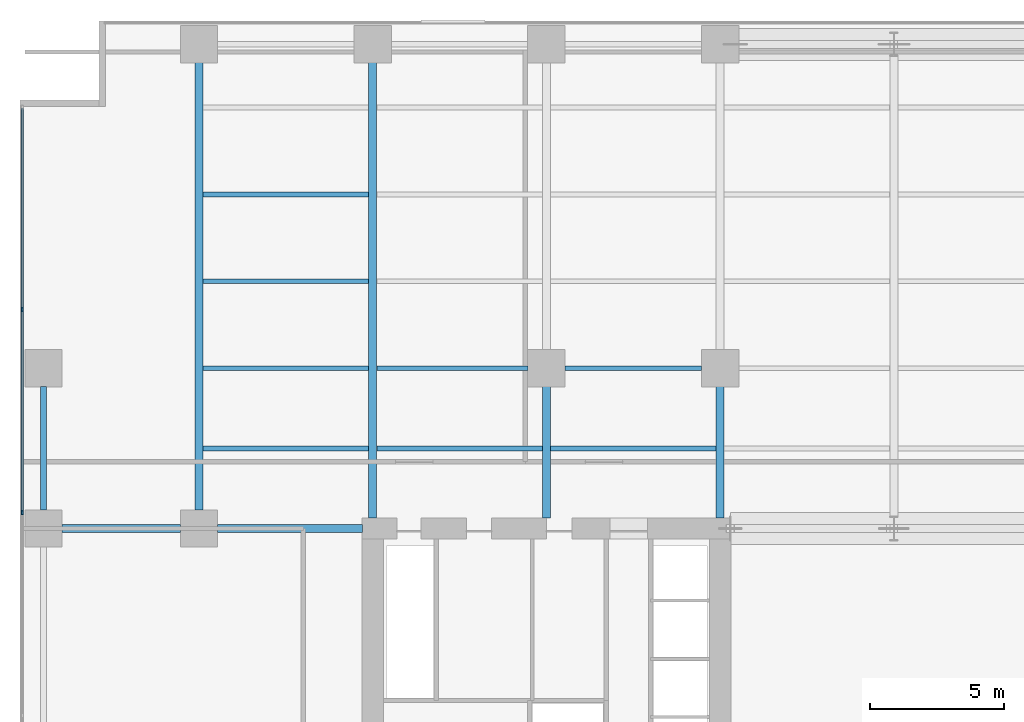
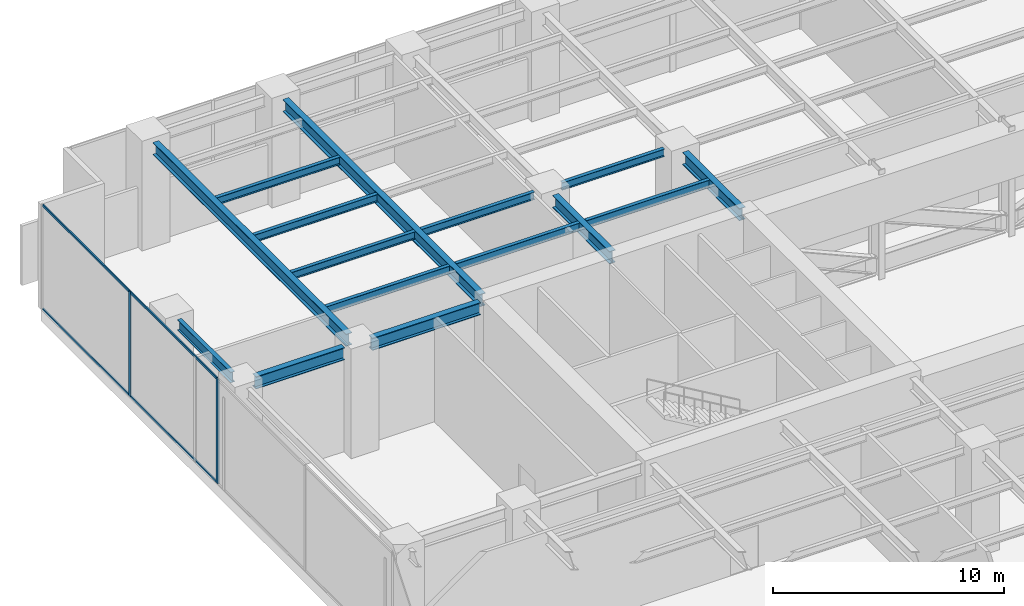
# One storey, part 9 of 25: 15 beams, 6 members, 1 element without a shape of its own.
"""IFC4 building model written with IfcOpenShell, lengths in metres."""

from ifc_helpers import new_model, si_unit, direction, frame, origin, origin_2d, place, context, subcontext, project, spatial, rectangle, i_section, extrude, material, layer, layer_set, material_profile, profile_set, type_object, element, aggregate, save


model = new_model("IFC4")

# Units and contexts
model_context = context("Model", 3, precision=1e-05, world=origin(), true_north=direction((0.0, 1.0)))
body_context = subcontext(model_context, "Body", "Model", "MODEL_VIEW")
ifc_project = project(units=[si_unit("LENGTHUNIT", "METRE"), si_unit("AREAUNIT", "SQUARE_METRE"), si_unit("VOLUMEUNIT", "CUBIC_METRE"), si_unit("PLANEANGLEUNIT", "RADIAN"), si_unit("MASSUNIT", "GRAM", prefix="KILO")], contexts=[model_context])

# Site, building, storey
site_placement = place(None, origin())
site = spatial("IfcSite", under=ifc_project, at=site_placement, CompositionType="ELEMENT")
building_placement = place(site_placement, origin())
building = spatial("IfcBuilding", under=site, at=building_placement, Name="Putna Gate Headquarters", CompositionType="ELEMENT")
storey_placement = place(building_placement, frame((0.0, 0.0, 22.0)))
storey = spatial("IfcBuildingStorey", under=building, at=storey_placement, Name="L04", CompositionType="ELEMENT", Elevation=22.0)

# Beams
ifc_material_1 = material(Name="Steel S355J2", Category="steel")
ifc_material_profile_1 = material_profile(ifc_material_1, i_section(OverallWidth=0.300048828125, OverallDepth=0.64990234375, WebThickness=0.01611328125, FlangeThickness=0.031005859375, at=origin_2d()), Name="Steel S355J2")
ifc_profile_set_1 = profile_set([ifc_material_profile_1], Name="Steel S355J2")
beam_type_1 = type_object("IfcBeamType", Name="BM-GIRD-Z1-HEB650", PredefinedType="USERDEFINED", material=ifc_profile_set_1)
beam_1_placement = place(storey_placement, frame((1.367919921875, 33.0, 5.22509765625), z_axis=(1.0, 0.0, 0.0), x_axis=(0.0, 1.0, 0.0)))
element("IfcBeam", 1, at=beam_1_placement, inside=storey, type_object=beam_type_1, Name="L04 West Wing Girder Y33-1", ObjectType="GIRDER", PredefinedType="USERDEFINED", context=body_context, shape_type="SweptSolid", body=[
    extrude(i_section(OverallWidth=0.300048828125, OverallDepth=0.64990234375, WebThickness=0.01611328125, FlangeThickness=0.031005859375, at=origin_2d()), origin(), (0.0, 0.0, 1.0), 4.444091796875),
])
beam_2_placement = place(storey_placement, frame((7.18798828125, 33.0, 5.22509765625), z_axis=(1.0, 0.0, 0.0), x_axis=(0.0, 1.0, 0.0)))
element("IfcBeam", 2, at=beam_2_placement, inside=storey, type_object=beam_type_1, Name="L04 West Wing Girder Y33-2", ObjectType="GIRDER", PredefinedType="USERDEFINED", context=body_context, shape_type="SweptSolid", body=[
    extrude(i_section(OverallWidth=0.300048828125, OverallDepth=0.64990234375, WebThickness=0.01611328125, FlangeThickness=0.031005859375, at=origin_2d()), origin(), (0.0, 0.0, 1.0), 5.427001953125),
])
beam_3_placement = place(storey_placement, frame((6.5, 33.68798828125, 5.22509765625), z_axis=(0.0, 1.0, 0.0), x_axis=(-1.0, 0.0, 0.0)))
element("IfcBeam", 3, at=beam_3_placement, inside=storey, type_object=beam_type_1, Name="L04 North Primary Girder X6", ObjectType="GIRDER", PredefinedType="USERDEFINED", context=body_context, shape_type="SweptSolid", body=[
    extrude(i_section(OverallWidth=0.300048828125, OverallDepth=0.64990234375, WebThickness=0.01611328125, FlangeThickness=0.031005859375, at=origin_2d()), origin(), (0.0, 0.0, 1.0), 16.743896484375),
])
beam_4_placement = place(storey_placement, frame((13.0, 33.385009765625, 5.22509765625), z_axis=(0.0, 1.0, 0.0), x_axis=(-1.0, 0.0, 0.0)))
element("IfcBeam", 4, at=beam_4_placement, inside=storey, type_object=beam_type_1, Name="L04 North Primary Girder X13", ObjectType="GIRDER", PredefinedType="USERDEFINED", context=body_context, shape_type="SweptSolid", body=[
    extrude(i_section(OverallWidth=0.300048828125, OverallDepth=0.64990234375, WebThickness=0.01611328125, FlangeThickness=0.031005859375, at=origin_2d()), origin(), (0.0, 0.0, 1.0), 17.046875),
])
for number, where, z_axis, x_axis, name in (
    (5, (19.5, 33.385009765625, 5.22509765625), (0.0, 1.0, 0.0), (-1.0, 0.0, 0.0), "L04 North Primary Girder X19-1"),
    (6, (26.0, 33.385009765625, 5.22509765625), (0.0, 1.0, 0.0), (-1.0, 0.0, 0.0), "L04 North Primary Girder X26-1"),
):
    element("IfcBeam", number, at=place(storey_placement, frame(where, z_axis=z_axis, x_axis=x_axis)), inside=storey, type_object=beam_type_1, Name=name, ObjectType="GIRDER", PredefinedType="USERDEFINED", context=body_context, shape_type="SweptSolid", body=[
        extrude(i_section(OverallWidth=0.300048828125, OverallDepth=0.64990234375, WebThickness=0.01611328125, FlangeThickness=0.031005859375, at=origin_2d()), origin(), (0.0, 0.0, 1.0), 4.927001953125),
    ])
ifc_material_profile_2 = material_profile(ifc_material_1, i_section(OverallWidth=0.179931640625, OverallDepth=0.39990234375, WebThickness=0.008544921875, FlangeThickness=0.013427734375, at=origin_2d()), Name="Steel S355J2")
ifc_profile_set_2 = profile_set([ifc_material_profile_2], Name="Steel S355J2")
beam_type_2 = type_object("IfcBeamType", Name="BM-SEC-Z1-IPE400", PredefinedType="BEAM", material=ifc_profile_set_2)
for number, where, z_axis, x_axis, name in (
    (7, (6.654052734375, 36.0, 5.35009765625), (1.0, 0.0, 0.0), (0.0, 1.0, 0.0), "L04 North Secondary Beam 1"),
    (8, (6.654052734375, 39.0, 5.35009765625), (1.0, 0.0, 0.0), (0.0, 1.0, 0.0), "L04 North Secondary Beam 1"),
    (9, (6.654052734375, 42.25, 5.35009765625), (1.0, 0.0, 0.0), (0.0, 1.0, 0.0), "L04 North Secondary Beam 1"),
    (10, (6.654052734375, 45.5, 5.35009765625), (1.0, 0.0, 0.0), (0.0, 1.0, 0.0), "L04 North Secondary Beam 1"),
    (11, (13.154052734375, 36.0, 5.35009765625), (1.0, 0.0, 0.0), (0.0, 1.0, 0.0), "L04 North Secondary Beam 2"),
):
    element("IfcBeam", number, at=place(storey_placement, frame(where, z_axis=z_axis, x_axis=x_axis)), inside=storey, type_object=beam_type_2, Name=name, PredefinedType="BEAM", context=body_context, shape_type="SweptSolid", body=[
        extrude(i_section(OverallWidth=0.179931640625, OverallDepth=0.39990234375, WebThickness=0.008544921875, FlangeThickness=0.013427734375, at=origin_2d()), origin(), (0.0, 0.0, 1.0), 6.19189453125),
    ])
beam_5_placement = place(storey_placement, frame((13.154052734375, 39.0, 5.35009765625), z_axis=(1.0, 0.0, 0.0), x_axis=(0.0, 1.0, 0.0)))
element("IfcBeam", 12, at=beam_5_placement, inside=storey, type_object=beam_type_2, Name="L04 North Secondary Beam 2", PredefinedType="BEAM", context=body_context, shape_type="SweptSolid", body=[
    extrude(i_section(OverallWidth=0.179931640625, OverallDepth=0.39990234375, WebThickness=0.008544921875, FlangeThickness=0.013427734375, at=origin_2d()), origin(), (0.0, 0.0, 1.0), 5.657958984375),
])
beam_6_placement = place(storey_placement, frame((19.654052734375, 36.0, 5.35009765625), z_axis=(1.0, 0.0, 0.0), x_axis=(0.0, 1.0, 0.0)))
element("IfcBeam", 13, at=beam_6_placement, inside=storey, type_object=beam_type_2, Name="L04 North Secondary Beam 3", PredefinedType="BEAM", context=body_context, shape_type="SweptSolid", body=[
    extrude(i_section(OverallWidth=0.179931640625, OverallDepth=0.39990234375, WebThickness=0.008544921875, FlangeThickness=0.013427734375, at=origin_2d()), origin(), (0.0, 0.0, 1.0), 6.19189453125),
])
beam_7_placement = place(storey_placement, frame((20.18798828125, 39.0, 5.35009765625), z_axis=(1.0, 0.0, 0.0), x_axis=(0.0, 1.0, 0.0)))
element("IfcBeam", 14, at=beam_7_placement, inside=storey, type_object=beam_type_2, Name="L04 North Secondary Beam 3", PredefinedType="BEAM", context=body_context, shape_type="SweptSolid", body=[
    extrude(i_section(OverallWidth=0.179931640625, OverallDepth=0.39990234375, WebThickness=0.008544921875, FlangeThickness=0.013427734375, at=origin_2d()), origin(), (0.0, 0.0, 1.0), 5.1240234375),
])
ifc_material_profile_3 = material_profile(ifc_material_1, i_section(OverallWidth=0.2099609375, OverallDepth=0.550048828125, WebThickness=0.010986328125, FlangeThickness=0.01708984375, at=origin_2d()), Name="Steel S355J2")
ifc_profile_set_3 = profile_set([ifc_material_profile_3], Name="Steel S355J2")
beam_type_3 = type_object("IfcBeamType", Name="BM-SPAN-Z1-IPE550", PredefinedType="SPANDREL", material=ifc_profile_set_3)
beam_8_placement = place(storey_placement, frame((0.679931640625, 33.68798828125, 5.27490234375), z_axis=(0.0, 1.0, 0.0), x_axis=(-1.0, 0.0, 0.0)))
element("IfcBeam", 15, at=beam_8_placement, inside=storey, type_object=beam_type_3, Name="L04 W End Spandrel 3", PredefinedType="SPANDREL", context=body_context, shape_type="SweptSolid", body=[
    extrude(i_section(OverallWidth=0.2099609375, OverallDepth=0.550048828125, WebThickness=0.010986328125, FlangeThickness=0.01708984375, at=origin_2d()), origin(), (0.0, 0.0, 1.0), 4.6240234375),
])

# Curtain wall, members
ifc_material_2 = material(Name="Anodised bronze aluminium curtain wall", Category="aluminium")
ifc_layer = layer(ifc_material_2, 0.159912109375)
ifc_layer_set = layer_set([ifc_layer], Name="Anodised bronze aluminium curtain wall")
curtain_wall_type = type_object("IfcCurtainWallType", Name="CW-SYS-CRN", PredefinedType="USERDEFINED", material=ifc_layer_set)
curtain_wall_placement = place(storey_placement, origin())
curtain_wall = element("IfcCurtainWall", 16, at=curtain_wall_placement, inside=storey, type_object=curtain_wall_type, Name="L04 Acoustic Louvre West Enclosure", ObjectType="STICK CURTAIN WALL", PredefinedType="USERDEFINED")
ifc_material_3 = material(Name="Anodised bronze aluminium EN AW-6060", Category="aluminium")
ifc_material_profile_4 = material_profile(ifc_material_3, rectangle(XDim=0.06494140625, YDim=0.159912109375, at=origin_2d()), Name="Anodised bronze aluminium EN AW-6060")
ifc_profile_set_4 = profile_set([ifc_material_profile_4], Name="Anodised bronze aluminium EN AW-6060")
member_type_1 = type_object("IfcMemberType", Name="MULL-CWM-CR", PredefinedType="MULLION", material=ifc_profile_set_4)
member_1_placement = place(storey_placement, frame((-0.1201171875, 33.60009765625, 0.0), z_axis=(0.0, 0.0, 1.0), x_axis=(-1.0, 0.0, 0.0)))
member_1 = element("IfcMember", 17, at=member_1_placement, type_object=member_type_1, Name="CWS-CR mullion 5", PredefinedType="MULLION", context=body_context, shape_type="SweptSolid", body=[
    extrude(rectangle(XDim=0.06494140625, YDim=0.159912109375, at=origin_2d()), origin(), (0.0, 0.0, 1.0), 5.550048828125),
])
member_2_placement = place(storey_placement, frame((-0.1201171875, 41.199951171875, 0.0), z_axis=(0.0, 0.0, 1.0), x_axis=(-1.0, 0.0, 0.0)))
member_2 = element("IfcMember", 18, at=member_2_placement, type_object=member_type_1, Name="CWS-CR mullion 6", PredefinedType="MULLION", context=body_context, shape_type="SweptSolid", body=[
    extrude(rectangle(XDim=0.06494140625, YDim=0.159912109375, at=origin_2d()), origin(), (0.0, 0.0, 1.0), 5.550048828125),
])
ifc_material_profile_5 = material_profile(ifc_material_3, rectangle(XDim=0.06494140625, YDim=0.1201171875, at=origin_2d()), Name="Anodised bronze aluminium EN AW-6060")
ifc_profile_set_5 = profile_set([ifc_material_profile_5], Name="Anodised bronze aluminium EN AW-6060")
member_type_2 = type_object("IfcMemberType", Name="TRAN-CWT-CR", PredefinedType="USERDEFINED", material=ifc_profile_set_5)
member_3_placement = place(storey_placement, frame((-0.1201171875, 33.632568359375, 0.032470703125), z_axis=(0.0, 1.0, 0.0), x_axis=(-1.0, 0.0, 0.0)))
member_3 = element("IfcMember", 19, at=member_3_placement, type_object=member_type_2, Name="CWS-CR transom 5.1", ObjectType="TRANSOM", PredefinedType="USERDEFINED", context=body_context, shape_type="SweptSolid", body=[
    extrude(rectangle(XDim=0.06494140625, YDim=0.1201171875, at=origin_2d()), origin(), (0.0, 0.0, 1.0), 7.534912109375),
])
member_4_placement = place(storey_placement, frame((-0.1201171875, 33.632568359375, 5.517578125), z_axis=(0.0, 1.0, 0.0), x_axis=(-1.0, 0.0, 0.0)))
member_4 = element("IfcMember", 20, at=member_4_placement, type_object=member_type_2, Name="CWS-CR transom 5.2", ObjectType="TRANSOM", PredefinedType="USERDEFINED", context=body_context, shape_type="SweptSolid", body=[
    extrude(rectangle(XDim=0.06494140625, YDim=0.1201171875, at=origin_2d()), origin(), (0.0, 0.0, 1.0), 7.534912109375),
])
member_5_placement = place(storey_placement, frame((-0.1201171875, 41.232421875, 0.032470703125), z_axis=(0.0, 1.0, 0.0), x_axis=(-1.0, 0.0, 0.0)))
member_5 = element("IfcMember", 21, at=member_5_placement, type_object=member_type_2, Name="CWS-CR transom 6.1", ObjectType="TRANSOM", PredefinedType="USERDEFINED", context=body_context, shape_type="SweptSolid", body=[
    extrude(rectangle(XDim=0.06494140625, YDim=0.1201171875, at=origin_2d()), origin(), (0.0, 0.0, 1.0), 7.502685546875),
])
member_6_placement = place(storey_placement, frame((-0.1201171875, 41.232421875, 5.517578125), z_axis=(0.0, 1.0, 0.0), x_axis=(-1.0, 0.0, 0.0)))
member_6 = element("IfcMember", 22, at=member_6_placement, type_object=member_type_2, Name="CWS-CR transom 6.2", ObjectType="TRANSOM", PredefinedType="USERDEFINED", context=body_context, shape_type="SweptSolid", body=[
    extrude(rectangle(XDim=0.06494140625, YDim=0.1201171875, at=origin_2d()), origin(), (0.0, 0.0, 1.0), 7.502685546875),
])
aggregate(curtain_wall, [member_1, member_2, member_3, member_4, member_5, member_6])

save(model, "model.ifc")
